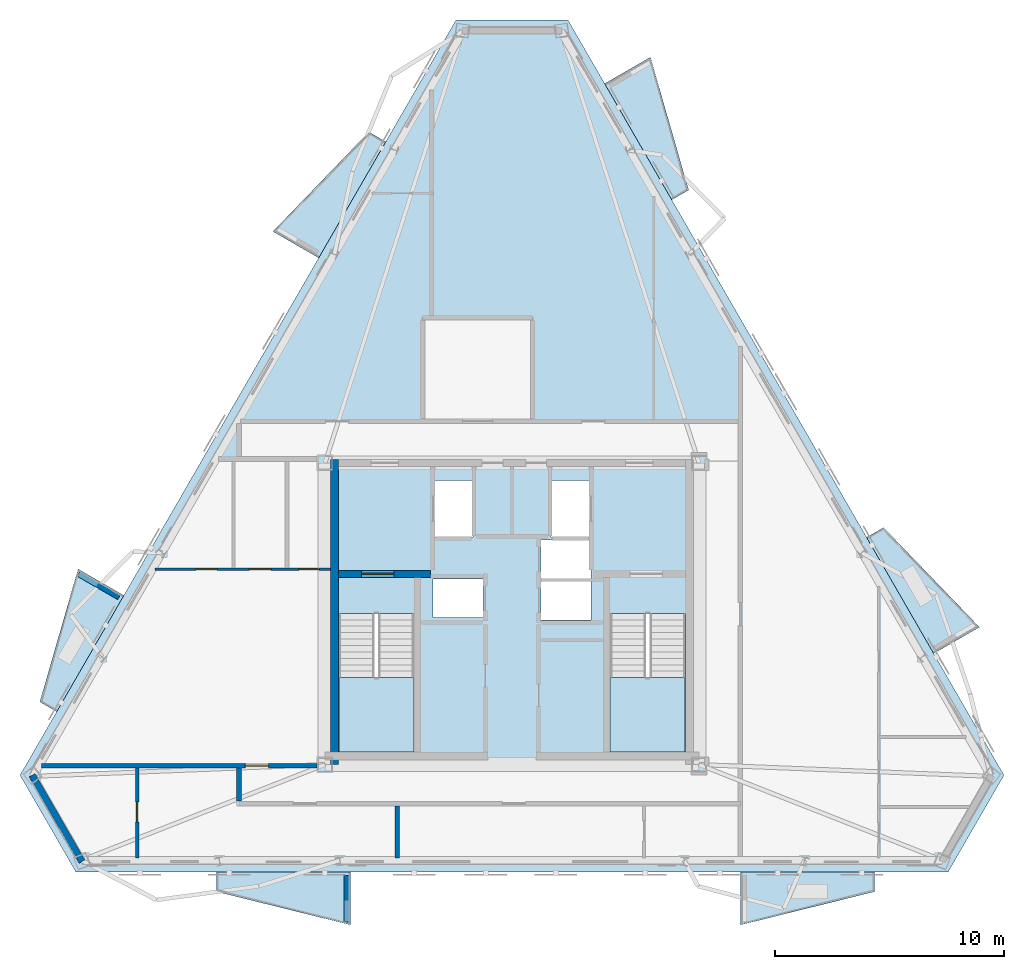
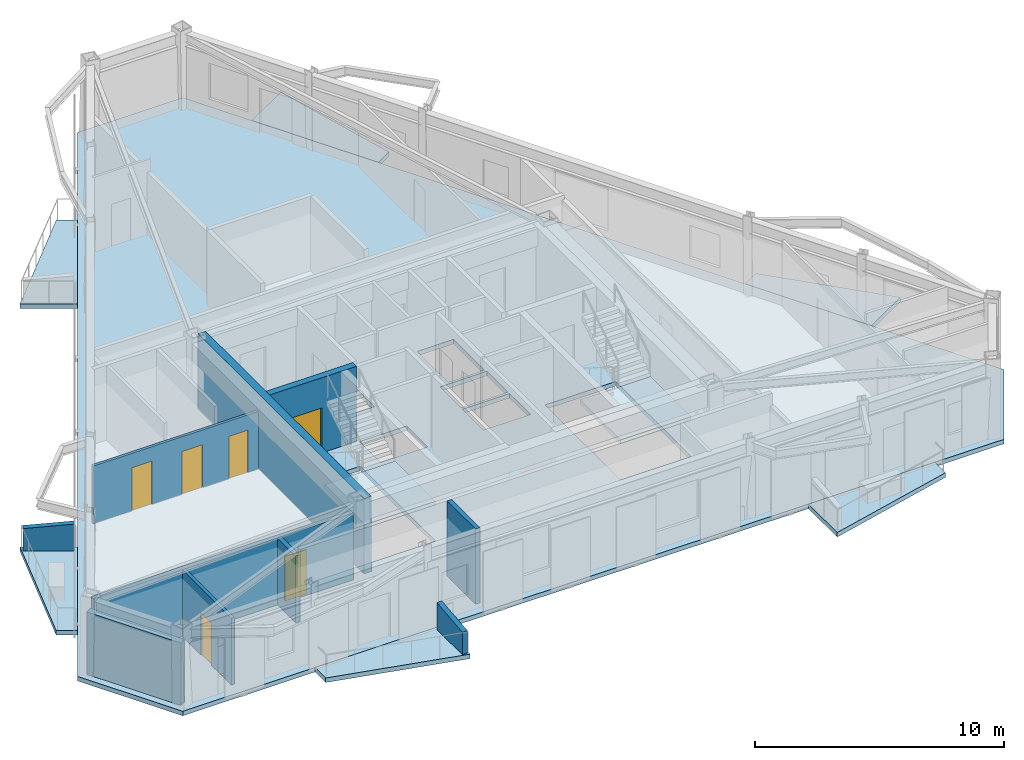
# One storey, part 2 of 9: 10 walls, 9 slabs, 6 doors, 6 openings, 2 elements without a shape of their own.
"""IFC4 building model written with IfcOpenShell, lengths in metres."""

from ifc_helpers import new_model, si_unit, direction, frame, frame_2d, origin, place, context, subcontext, project, spatial, polyline, rectangle, outline, extrude, material, layer, layer_set, type_object, element, fill, aggregate, save


model = new_model("IFC4")

# Units and contexts
model_context = context("Model", 3, precision=1e-05, world=origin(), true_north=direction((0.0, 1.0)))
body_context = subcontext(model_context, "Body", "Model", "MODEL_VIEW")
ifc_project = project(units=[si_unit("LENGTHUNIT", "METRE"), si_unit("AREAUNIT", "SQUARE_METRE"), si_unit("VOLUMEUNIT", "CUBIC_METRE"), si_unit("PLANEANGLEUNIT", "RADIAN"), si_unit("MASSUNIT", "GRAM", prefix="KILO")], contexts=[model_context])

# Site, building, storey
site_placement = place(None, origin())
site = spatial("IfcSite", under=ifc_project, at=site_placement, CompositionType="ELEMENT")
building_placement = place(site_placement, origin())
building = spatial("IfcBuilding", under=site, at=building_placement, Name="Oramaril Tower", CompositionType="ELEMENT")
storey_placement = place(building_placement, frame((0.0, 0.0, 285.0)))
storey = spatial("IfcBuildingStorey", under=building, at=storey_placement, Name="L75", CompositionType="ELEMENT", Elevation=285.0)

# Slabs
ifc_material_1 = material(Name="Concrete C40/50", Category="concrete")
ifc_layer_1 = layer(ifc_material_1, 0.199951171875)
ifc_layer_set_1 = layer_set([ifc_layer_1], Name="SLT-BAL20")
slab_type_1 = type_object("IfcSlabType", Name="SLT-BAL20", PredefinedType="FLOOR", material=ifc_layer_set_1)
slab_1_placement = place(storey_placement, frame((0.0, 0.0, -0.219970703125)))
element("IfcSlab", 1, at=slab_1_placement, inside=storey, type_object=slab_type_1, Name="L75 Cantilevered Balcony Slab L75-BAL-S1", PredefinedType="FLOOR", context=body_context, shape_type="SweptSolid", body=[
    extrude(outline(polyline([(24.618896484375, 6.311767578125), (30.468994140625, 6.311767578125), (30.468994140625, 4.009765625), (24.618896484375, 5.459716796875), (24.618896484375, 6.311767578125)])), origin(), (0.0, 0.0, 1.0), 0.219970703125),
])
slab_2_placement = place(storey_placement, frame((0.0, 0.0, -0.219970703125)))
element("IfcSlab", 2, at=slab_2_placement, inside=storey, type_object=slab_type_1, Name="L75 Cantilevered Balcony Slab L75-BAL-NE2", PredefinedType="FLOOR", context=body_context, shape_type="SweptSolid", body=[
    extrude(outline(polyline([(44.462890625, 35.6162109375), (41.5380859375, 40.6826171875), (43.531494140625, 41.83349609375), (45.20068359375, 36.042236328125), (44.462890625, 35.6162109375)])), origin(), (0.0, 0.0, 1.0), 0.219970703125),
])
slab_3_placement = place(storey_placement, frame((0.0, 0.0, -0.219970703125)))
element("IfcSlab", 3, at=slab_3_placement, inside=storey, type_object=slab_type_1, Name="L75 Cantilevered Balcony Slab L75-BAL-NW1", PredefinedType="FLOOR", context=body_context, shape_type="SweptSolid", body=[
    extrude(outline(polyline([(31.99951171875, 38.1494140625), (29.074462890625, 33.083251953125), (27.080810546875, 34.234130859375), (31.26171875, 38.575439453125), (31.99951171875, 38.1494140625)])), origin(), (0.0, 0.0, 1.0), 0.219970703125),
])
ifc_material_2 = material(Name="Concrete C50/60", Category="concrete")
ifc_layer_2 = layer(ifc_material_2, 0.219970703125)
ifc_layer_set_2 = layer_set([ifc_layer_2], Name="SLT-FLR22")
slab_type_2 = type_object("IfcSlabType", Name="SLT-FLR22", PredefinedType="FLOOR", material=ifc_layer_set_2)
slab_4_placement = place(storey_placement, frame((0.0, 0.0, -0.219970703125)))
element("IfcSlab", 4, at=slab_4_placement, inside=storey, type_object=slab_type_2, Name="L75 Structural Floor Slab", PredefinedType="FLOOR", context=body_context, shape_type="SweptSolid", body=[
    extrude(outline(polyline([(16.05419921875, 10.535400390625), (18.493896484375, 6.309814453125), (56.506103515625, 6.309814453125), (58.94580078125, 10.535400390625), (39.939697265625, 43.454833984375), (35.060302734375, 43.454833984375), (16.05419921875, 10.535400390625)]), holes=[polyline([(29.949951171875, 17.58935546875), (29.949951171875, 11.550048828125), (33.219970703125, 11.550048828125), (33.219970703125, 17.58935546875), (29.949951171875, 17.58935546875)]), polyline([(41.780029296875, 17.58935546875), (41.780029296875, 11.550048828125), (45.050048828125, 11.550048828125), (45.050048828125, 17.58935546875), (41.780029296875, 17.58935546875)]), polyline([(34.110107421875, 20.909912109375), (35.7900390625, 20.909912109375), (35.7900390625, 23.389892578125), (34.110107421875, 23.389892578125), (34.110107421875, 20.909912109375)]), polyline([(39.2099609375, 20.909912109375), (40.889892578125, 20.909912109375), (40.889892578125, 23.389892578125), (39.2099609375, 23.389892578125), (39.2099609375, 20.909912109375)]), polyline([(34.06005859375, 17.409912109375), (36.239990234375, 17.409912109375), (36.239990234375, 19.090087890625), (34.06005859375, 19.090087890625), (34.06005859375, 17.409912109375)]), polyline([(38.760009765625, 17.31005859375), (40.93994140625, 17.31005859375), (40.93994140625, 18.989990234375), (38.760009765625, 18.989990234375), (38.760009765625, 17.31005859375)]), polyline([(38.760009765625, 19.110107421875), (40.93994140625, 19.110107421875), (40.93994140625, 20.7900390625), (38.760009765625, 20.7900390625), (38.760009765625, 19.110107421875)])]), origin(), (0.0, 0.0, 1.0), 0.219970703125),
])

# Stair, slab
ifc_material_3 = material(Name="Concrete C50/60", Category="concrete")
stair_type = type_object("IfcStairType", Name="STT-DG-3900", PredefinedType="HALF_TURN_STAIR", material=ifc_material_3)
stair_1_placement = place(storey_placement, origin())
stair_1 = element("IfcStair", 5, at=stair_1_placement, inside=storey, type_object=stair_type, Name="L75 Protected PFP Exit Stair ST-1", PredefinedType="HALF_TURN_STAIR")
ifc_material_4 = material(Name="Concrete C50/60", Category="concrete")
ifc_layer_3 = layer(ifc_material_4, 0.199951171875)
ifc_layer_set_3 = layer_set([ifc_layer_3], Name="SLT-LND20")
slab_type_3 = type_object("IfcSlabType", Name="SLT-LND20", PredefinedType="LANDING", material=ifc_layer_set_3)
slab_5_placement = place(storey_placement, frame((0.0, 0.0, 1.75)))
slab_5 = element("IfcSlab", 6, at=slab_5_placement, type_object=slab_type_3, Name="ST-1 landing 1", PredefinedType="LANDING", context=body_context, shape_type="SweptSolid", body=[
    extrude(outline(polyline([(29.949951171875, 14.7900390625), (29.949951171875, 11.550048828125), (33.219970703125, 11.550048828125), (33.219970703125, 14.7900390625), (29.949951171875, 14.7900390625)])), origin(), (0.0, 0.0, 1.0), 0.199951171875),
])
aggregate(stair_1, [slab_5])

stair_2_placement = place(storey_placement, origin())
stair_2 = element("IfcStair", 7, at=stair_2_placement, inside=storey, type_object=stair_type, Name="L75 Protected PFP Exit Stair ST-2", PredefinedType="HALF_TURN_STAIR")
slab_6_placement = place(storey_placement, frame((0.0, 0.0, 1.75)))
slab_6 = element("IfcSlab", 8, at=slab_6_placement, type_object=slab_type_3, Name="ST-2 landing 1", PredefinedType="LANDING", context=body_context, shape_type="SweptSolid", body=[
    extrude(outline(polyline([(41.780029296875, 14.7900390625), (41.780029296875, 11.550048828125), (45.050048828125, 11.550048828125), (45.050048828125, 14.7900390625), (41.780029296875, 14.7900390625)])), origin(), (0.0, 0.0, 1.0), 0.199951171875),
])
aggregate(stair_2, [slab_6])

# Slabs
ifc_material_5 = material(Name="Concrete C40/50", Category="concrete")
ifc_layer_4 = layer(ifc_material_5, 0.18994140625)
ifc_layer_set_4 = layer_set([ifc_layer_4], Name="SLT-PLN19")
slab_type_4 = type_object("IfcSlabType", Name="SLT-PLN19", PredefinedType="FLOOR", material=ifc_layer_set_4)
slab_7_placement = place(storey_placement, frame((0.0, 0.0, -0.219970703125)))
element("IfcSlab", 9, at=slab_7_placement, inside=storey, type_object=slab_type_4, Name="L75 Tree Planter Balcony Slab L75-BAL-S2", PredefinedType="FLOOR", context=body_context, shape_type="SweptSolid", body=[
    extrude(outline(polyline([(47.4560546875, 6.311767578125), (53.305908203125, 6.311767578125), (53.305908203125, 5.459716796875), (47.4560546875, 4.009765625), (47.4560546875, 6.311767578125)])), origin(), (0.0, 0.0, 1.0), 0.219970703125),
])
slab_8_placement = place(storey_placement, frame((0.0, 0.0, -0.219970703125)))
element("IfcSlab", 10, at=slab_8_placement, inside=storey, type_object=slab_type_4, Name="L75 Tree Planter Balcony Slab L75-BAL-NE1", PredefinedType="FLOOR", context=body_context, shape_type="SweptSolid", body=[
    extrude(outline(polyline([(55.881591796875, 15.8388671875), (52.95654296875, 20.905029296875), (53.6943359375, 21.3310546875), (57.875, 16.989990234375), (55.881591796875, 15.8388671875)])), origin(), (0.0, 0.0, 1.0), 0.219970703125),
])
slab_9_placement = place(storey_placement, frame((0.0, 0.0, -0.219970703125)))
element("IfcSlab", 11, at=slab_9_placement, inside=storey, type_object=slab_type_4, Name="L75 Tree Planter Balcony Slab L75-BAL-NW2", PredefinedType="FLOOR", context=body_context, shape_type="SweptSolid", body=[
    extrude(outline(polyline([(20.5810546875, 18.3720703125), (17.656005859375, 13.305908203125), (16.918212890625, 13.731689453125), (18.58740234375, 19.52294921875), (20.5810546875, 18.3720703125)])), origin(), (0.0, 0.0, 1.0), 0.219970703125),
])

# Walls
ifc_material_6 = material(Name="Warm Cream Limestone", Category="masonry")
ifc_layer_5 = layer(ifc_material_6, 0.2900390625)
ifc_layer_set_5 = layer_set([ifc_layer_5], Name="WT-EXT29")
wall_type_1 = type_object("IfcWallType", Name="WT-EXT29", PredefinedType="SOLIDWALL", material=ifc_layer_set_5)
wall_1_placement = place(storey_placement, frame((16.58544921875, 10.535400390625, 0.0), z_axis=(0.0, 0.0, 1.0), x_axis=(0.499997871204, -0.866026632842, 0.0)))
element("IfcWall", 12, at=wall_1_placement, inside=storey, type_object=wall_type_1, Name="L75 Tower Limestone Facade Wall 1M", PredefinedType="SOLIDWALL", context=body_context, shape_type="SweptSolid", body=[
    extrude(rectangle(XDim=4.34814453125, YDim=0.2900390625, at=frame_2d((2.174072265625, 0.0))), origin(), (0.0, 0.0, 1.0), 3.05810546875),
])
ifc_material_7 = material(Name="Concrete C40/50", Category="concrete")
ifc_layer_6 = layer(ifc_material_7, 0.22998046875)
ifc_layer_set_6 = layer_set([ifc_layer_6], Name="WT-PRP23")
wall_type_2 = type_object("IfcWallType", Name="WT-PRP23", PredefinedType="PARAPET", material=ifc_layer_set_6)
for number, where, z_axis, x_axis, name in (
    (13, (30.2890625, 6.171630859375, 0.0), (0.0, 0.0, 1.0), (0.0, -1.0, 0.0), "L75 Trapezoidal Balcony Frame Cheek L75-BAL-S1-R"),
    (14, (20.369873046875, 18.2861328125, 0.0), (0.0, 0.0, 1.0), (-0.866042246008, 0.499970827278, 0.0), "L75 Trapezoidal Balcony Frame Cheek L75-BAL-NW2-L"),
):
    element("IfcWall", number, at=place(storey_placement, frame(where, z_axis=z_axis, x_axis=x_axis)), inside=storey, type_object=wall_type_2, Name=name, PredefinedType="PARAPET", context=body_context, shape_type="SweptSolid", body=[
        extrude(outline(polyline([(0.0, 0.0), (2.0419921875, 0.0), (2.0419921875, 1.10009765625), (0.0, 1.320068359375), (0.0, 0.0)])), frame((0.0, 0.114990234375, 0.0), z_axis=(0.0, -1.0, 0.0), x_axis=(1.0, 0.0, 0.0)), (0.0, 0.0, 1.0), 0.22998046875),
    ])

# Wall, openings, doors
ifc_material_8 = material(Name="Acoustic Gypsum Board Partition")
ifc_layer_7 = layer(ifc_material_8, 0.1201171875)
ifc_layer_set_7 = layer_set([ifc_layer_7], Name="WT-PT12")
wall_type_3 = type_object("IfcWallType", Name="WT-PT12", PredefinedType="PARTITIONING", material=ifc_layer_set_7)
wall_2_placement = place(storey_placement, frame((21.93896484375, 19.510009765625, 0.0), z_axis=(0.0, 0.0, 1.0), x_axis=(1.0, 0.0, 0.0)))
wall_2 = element("IfcWall", 15, at=wall_2_placement, inside=storey, type_object=wall_type_3, Name="L75 Interior Partition PT-12", PredefinedType="PARTITIONING", context=body_context, shape_type="SweptSolid", body=[
    extrude(rectangle(XDim=7.64697265625, YDim=0.1201171875, at=frame_2d((3.823486328125, 0.0))), origin(), (0.0, 0.0, 1.0), 2.820068359375),
])
opening_1_placement = place(wall_2_placement, frame((1.787109375, 0.0, 0.0)))
opening_1 = element("IfcOpeningElement", 16, at=opening_1_placement, cuts=wall_2, Name="Opening D-L75-04", PredefinedType="OPENING", context=body_context, shape_type="SweptSolid", body=[
    extrude(rectangle(XDim=0.919921875, YDim=2.1201171875, at=frame_2d((0.4599609375, 1.06005859375))), frame((0.0, 0.06005859375, 0.0), z_axis=(0.0, -1.0, 0.0), x_axis=(1.0, 0.0, 0.0)), (0.0, 0.0, 1.0), 0.1201171875),
])
opening_2_placement = place(wall_2_placement, frame((4.1103515625, 0.0, 0.0)))
opening_2 = element("IfcOpeningElement", 17, at=opening_2_placement, cuts=wall_2, Name="Opening D-L75-05", PredefinedType="OPENING", context=body_context, shape_type="SweptSolid", body=[
    extrude(rectangle(XDim=0.949951171875, YDim=2.10009765625, at=frame_2d((0.47509765625, 1.050048828125))), frame((0.0, 0.06005859375, 0.0), z_axis=(0.0, -1.0, 0.0), x_axis=(1.0, 0.0, 0.0)), (0.0, 0.0, 1.0), 0.1201171875),
])
opening_3_placement = place(wall_2_placement, frame((6.27099609375, 0.0, 0.0)))
opening_3 = element("IfcOpeningElement", 18, at=opening_3_placement, cuts=wall_2, Name="Opening D-L75-06", PredefinedType="OPENING", context=body_context, shape_type="SweptSolid", body=[
    extrude(rectangle(XDim=0.8798828125, YDim=2.080078125, at=frame_2d((0.43994140625, 1.0400390625))), frame((0.0, 0.06005859375, 0.0), z_axis=(0.0, -1.0, 0.0), x_axis=(1.0, 0.0, 0.0)), (0.0, 0.0, 1.0), 0.1201171875),
])
ifc_material_9 = material(Name="FSC Brazilian Freijo Hardwood", Category="wood")
door_type_1 = type_object("IfcDoorType", Name="DT-BATH", OperationType="NOTDEFINED", PredefinedType="DOOR", material=ifc_material_9)
door_1_placement = place(opening_3_placement, origin())
door_1 = element("IfcDoor", 19, at=door_1_placement, inside=storey, type_object=door_type_1, Name="L75 Flat L75-U3 Bathroom Door D-L75-06", OperationType="SINGLE_SWING_LEFT", OverallHeight=2.080078125, OverallWidth=0.8798828125, PredefinedType="DOOR", context=body_context, shape_type="SweptSolid", body=[
    extrude(rectangle(XDim=0.8798828125, YDim=2.080078125, at=frame_2d((0.43994140625, 1.0400390625))), frame((0.0, 0.02490234375, 0.0), z_axis=(0.0, -1.0, 0.0), x_axis=(1.0, 0.0, 0.0)), (0.0, 0.0, 1.0), 0.050048828125),
])
fill(opening_3, door_1)
ifc_material_10 = material(Name="FSC Brazilian Freijo Hardwood", Category="wood")
door_type_2 = type_object("IfcDoorType", Name="DT-BED", OperationType="NOTDEFINED", PredefinedType="DOOR", material=ifc_material_10)
door_2_placement = place(opening_1_placement, origin())
door_2 = element("IfcDoor", 20, at=door_2_placement, inside=storey, type_object=door_type_2, Name="L75 Flat L75-U3 Master Bedroom Door D-L75-04", OperationType="SINGLE_SWING_LEFT", OverallHeight=2.1201171875, OverallWidth=0.919921875, PredefinedType="DOOR", context=body_context, shape_type="SweptSolid", body=[
    extrude(rectangle(XDim=0.919921875, YDim=2.1201171875, at=frame_2d((0.4599609375, 1.06005859375))), frame((0.0, 0.02490234375, 0.0), z_axis=(0.0, -1.0, 0.0), x_axis=(1.0, 0.0, 0.0)), (0.0, 0.0, 1.0), 0.050048828125),
])
fill(opening_1, door_2)
ifc_material_11 = material(Name="FSC Brazilian Freijo Hardwood", Category="wood")
door_type_3 = type_object("IfcDoorType", Name="DT-STDY", OperationType="NOTDEFINED", PredefinedType="DOOR", material=ifc_material_11)
door_3_placement = place(opening_2_placement, origin())
door_3 = element("IfcDoor", 21, at=door_3_placement, inside=storey, type_object=door_type_3, Name="L75 Flat L75-U3 Kitchen Door D-L75-05", OperationType="SINGLE_SWING_RIGHT", OverallHeight=2.10009765625, OverallWidth=0.949951171875, PredefinedType="DOOR", context=body_context, shape_type="SweptSolid", body=[
    extrude(rectangle(XDim=0.949951171875, YDim=2.10009765625, at=frame_2d((0.47509765625, 1.050048828125))), frame((0.0, 0.02490234375, 0.0), z_axis=(0.0, -1.0, 0.0), x_axis=(1.0, 0.0, 0.0)), (0.0, 0.0, 1.0), 0.050048828125),
])
fill(opening_2, door_3)

# Wall, opening, door
ifc_material_12 = material(Name="Acoustic Gypsum Board Partition")
ifc_layer_8 = layer(ifc_material_12, 0.159912109375)
ifc_layer_set_8 = layer_set([ifc_layer_8], Name="WT-PT16")
wall_type_4 = type_object("IfcWallType", Name="WT-PT16", PredefinedType="PARTITIONING", material=ifc_layer_set_8)
wall_3_placement = place(storey_placement, frame((21.169921875, 6.918701171875, 0.0), z_axis=(0.0, 0.0, 1.0), x_axis=(0.0, 1.0, 0.0)))
wall_3 = element("IfcWall", 22, at=wall_3_placement, inside=storey, type_object=wall_type_4, Name="L75 Interior Partition PT-16", PredefinedType="PARTITIONING", context=body_context, shape_type="SweptSolid", body=[
    extrude(rectangle(XDim=3.92724609375, YDim=0.159912109375, at=frame_2d((1.963623046875, 0.0))), origin(), (0.0, 0.0, 1.0), 3.26611328125),
])
opening_4_placement = place(wall_3_placement, frame((1.576171875, 0.0, 0.0)))
opening_4 = element("IfcOpeningElement", 23, at=opening_4_placement, cuts=wall_3, Name="Opening D-L75-11", PredefinedType="OPENING", context=body_context, shape_type="SweptSolid", body=[
    extrude(rectangle(XDim=0.8798828125, YDim=2.080078125, at=frame_2d((0.43994140625, 1.0400390625))), frame((0.0, 0.080078125, 0.0), z_axis=(0.0, -1.0, 0.0), x_axis=(1.0, 0.0, 0.0)), (0.0, 0.0, 1.0), 0.159912109375),
])
door_4_placement = place(opening_4_placement, origin())
door_4 = element("IfcDoor", 24, at=door_4_placement, inside=storey, type_object=door_type_1, Name="L75 Flat L75-U1 Bathroom Door D-L75-11", OperationType="SINGLE_SWING_RIGHT", OverallHeight=2.080078125, OverallWidth=0.8798828125, PredefinedType="DOOR", context=body_context, shape_type="SweptSolid", body=[
    extrude(rectangle(XDim=0.8798828125, YDim=2.080078125, at=frame_2d((0.43994140625, 1.0400390625))), frame((0.0, 0.02490234375, 0.0), z_axis=(0.0, -1.0, 0.0), x_axis=(1.0, 0.0, 0.0)), (0.0, 0.0, 1.0), 0.050048828125),
])
fill(opening_4, door_4)

ifc_material_13 = material(Name="Autoclaved Cellular Concrete Block", Category="concrete")
ifc_layer_9 = layer(ifc_material_13, 0.199951171875)
ifc_layer_set_9 = layer_set([ifc_layer_9], Name="WT-PT20")
wall_type_5 = type_object("IfcWallType", Name="WT-PT20", PredefinedType="PARTITIONING", material=ifc_layer_set_9)
wall_4_placement = place(storey_placement, frame((16.996826171875, 10.949951171875, 0.0), z_axis=(0.0, 0.0, 1.0), x_axis=(1.0, 0.0, 0.0)))
wall_4 = element("IfcWall", 25, at=wall_4_placement, inside=storey, type_object=wall_type_5, Name="L75 Interior Partition PT-20", PredefinedType="PARTITIONING", context=body_context, shape_type="SweptSolid", body=[
    extrude(rectangle(XDim=12.01318359375, YDim=0.199951171875, at=frame_2d((6.006591796875, 0.0))), origin(), (0.0, 0.0, 1.0), 3.26611328125),
])
opening_5_placement = place(wall_4_placement, frame((8.884765625, 0.0, 0.0)))
opening_5 = element("IfcOpeningElement", 26, at=opening_5_placement, cuts=wall_4, Name="Opening D-L75-03", PredefinedType="OPENING", context=body_context, shape_type="SweptSolid", body=[
    extrude(rectangle(XDim=1.0, YDim=2.179931640625, at=frame_2d((0.5, 1.08984375))), frame((0.0, 0.10009765625, 0.0), z_axis=(0.0, -1.0, 0.0), x_axis=(1.0, 0.0, 0.0)), (0.0, 0.0, 1.0), 0.199951171875),
])
ifc_material_14 = material(Name="FSC Brazilian Freijo Hardwood", Category="wood")
door_type_4 = type_object("IfcDoorType", Name="DT-APT", OperationType="NOTDEFINED", PredefinedType="DOOR", material=ifc_material_14)
door_5_placement = place(opening_5_placement, origin())
door_5 = element("IfcDoor", 27, at=door_5_placement, inside=storey, type_object=door_type_4, Name="L75 Flat L75-U3 Penthouse Living and Dining Room Door D-L75-03", OperationType="SINGLE_SWING_RIGHT", OverallHeight=2.179931640625, OverallWidth=1.0, PredefinedType="DOOR", context=body_context, shape_type="SweptSolid", body=[
    extrude(rectangle(XDim=1.0, YDim=2.179931640625, at=frame_2d((0.5, 1.08984375))), frame((0.0, 0.02490234375, 0.0), z_axis=(0.0, -1.0, 0.0), x_axis=(1.0, 0.0, 0.0)), (0.0, 0.0, 1.0), 0.050048828125),
])
fill(opening_5, door_5)

# Walls
wall_5_placement = place(storey_placement, frame((25.60009765625, 9.404052734375, 0.0), z_axis=(0.0, 0.0, 1.0), x_axis=(0.0, 1.0, 0.0)))
element("IfcWall", 28, at=wall_5_placement, inside=storey, type_object=wall_type_5, Name="L75 Interior Partition PT-20", PredefinedType="PARTITIONING", context=body_context, shape_type="SweptSolid", body=[
    extrude(rectangle(XDim=1.44189453125, YDim=0.199951171875, at=frame_2d((0.720947265625, 0.0))), origin(), (0.0, 0.0, 1.0), 3.26611328125),
])
wall_6_placement = place(storey_placement, frame((32.5, 6.918701171875, 0.0), z_axis=(0.0, 0.0, 1.0), x_axis=(0.0, 1.0, 0.0)))
element("IfcWall", 29, at=wall_6_placement, inside=storey, type_object=wall_type_5, Name="L75 Interior Partition PT-20", PredefinedType="PARTITIONING", context=body_context, shape_type="SweptSolid", body=[
    extrude(rectangle(XDim=2.27734375, YDim=0.199951171875, at=frame_2d((1.138671875, 0.0))), origin(), (0.0, 0.0, 1.0), 3.679931640625),
])

# Wall, opening, door
ifc_material_15 = material(Name="Concrete C50/60", Category="concrete")
ifc_layer_10 = layer(ifc_material_15, 0.300048828125)
ifc_layer_set_10 = layer_set([ifc_layer_10], Name="WT-SH30")
wall_type_6 = type_object("IfcWallType", Name="WT-SH30", PredefinedType="SHEAR", material=ifc_layer_set_10)
wall_7_placement = place(storey_placement, frame((29.93994140625, 19.31005859375, 0.0), z_axis=(0.0, 0.0, 1.0), x_axis=(1.0, 0.0, 0.0)))
wall_7 = element("IfcWall", 30, at=wall_7_placement, inside=storey, type_object=wall_type_6, Name="L75 Core Shear Wall CW-ST1N", PredefinedType="SHEAR", context=body_context, shape_type="SweptSolid", body=[
    extrude(rectangle(XDim=4.010009765625, YDim=0.300048828125, at=frame_2d((2.0048828125, 0.0))), origin(), (0.0, 0.0, 1.0), 3.679931640625),
])
opening_6_placement = place(wall_7_placement, frame((1.010009765625, 0.0, 0.0)))
opening_6 = element("IfcOpeningElement", 31, at=opening_6_placement, cuts=wall_7, Name="Opening D-L75-ST1", PredefinedType="OPENING", context=body_context, shape_type="SweptSolid", body=[
    extrude(rectangle(XDim=1.39990234375, YDim=2.199951171875, at=frame_2d((0.699951171875, 1.10009765625))), frame((0.0, 0.14990234375, 0.0), z_axis=(0.0, -1.0, 0.0), x_axis=(1.0, 0.0, 0.0)), (0.0, 0.0, 1.0), 0.300048828125),
])
ifc_material_16 = material(Name="Painted Galvanised Steel", Category="steel")
door_type_5 = type_object("IfcDoorType", Name="DT-ST", OperationType="NOTDEFINED", PredefinedType="DOOR", material=ifc_material_16)
door_6_placement = place(opening_6_placement, origin())
door_6 = element("IfcDoor", 32, at=door_6_placement, inside=storey, type_object=door_type_5, Name="L75 Protected Stair ST-1 Fire Door", OperationType="SINGLE_SWING_LEFT", OverallHeight=2.199951171875, OverallWidth=1.39990234375, PredefinedType="DOOR", context=body_context, shape_type="SweptSolid", body=[
    extrude(rectangle(XDim=1.39990234375, YDim=2.199951171875, at=frame_2d((0.699951171875, 1.10009765625))), frame((0.0, 0.02490234375, 0.0), z_axis=(0.0, -1.0, 0.0), x_axis=(1.0, 0.0, 0.0)), (0.0, 0.0, 1.0), 0.050048828125),
])
fill(opening_6, door_6)

# Wall
ifc_material_17 = material(Name="Concrete C50/60", Category="concrete")
ifc_layer_11 = layer(ifc_material_17, 0.35009765625)
ifc_layer_set_11 = layer_set([ifc_layer_11], Name="WT-SH35")
wall_type_7 = type_object("IfcWallType", Name="WT-SH35", PredefinedType="SHEAR", material=ifc_layer_set_11)
wall_8_placement = place(storey_placement, frame((29.764892578125, 11.0, 0.0), z_axis=(0.0, 0.0, 1.0), x_axis=(0.0, 1.0, 0.0)))
element("IfcWall", 33, at=wall_8_placement, inside=storey, type_object=wall_type_7, Name="L75 Core Shear Wall CW-W", PredefinedType="SHEAR", context=body_context, shape_type="SweptSolid", body=[
    extrude(rectangle(XDim=13.300048828125, YDim=0.35009765625, at=frame_2d((6.64990234375, 0.0))), origin(), (0.0, 0.0, 1.0), 3.679931640625),
])

save(model, "model.ifc")
